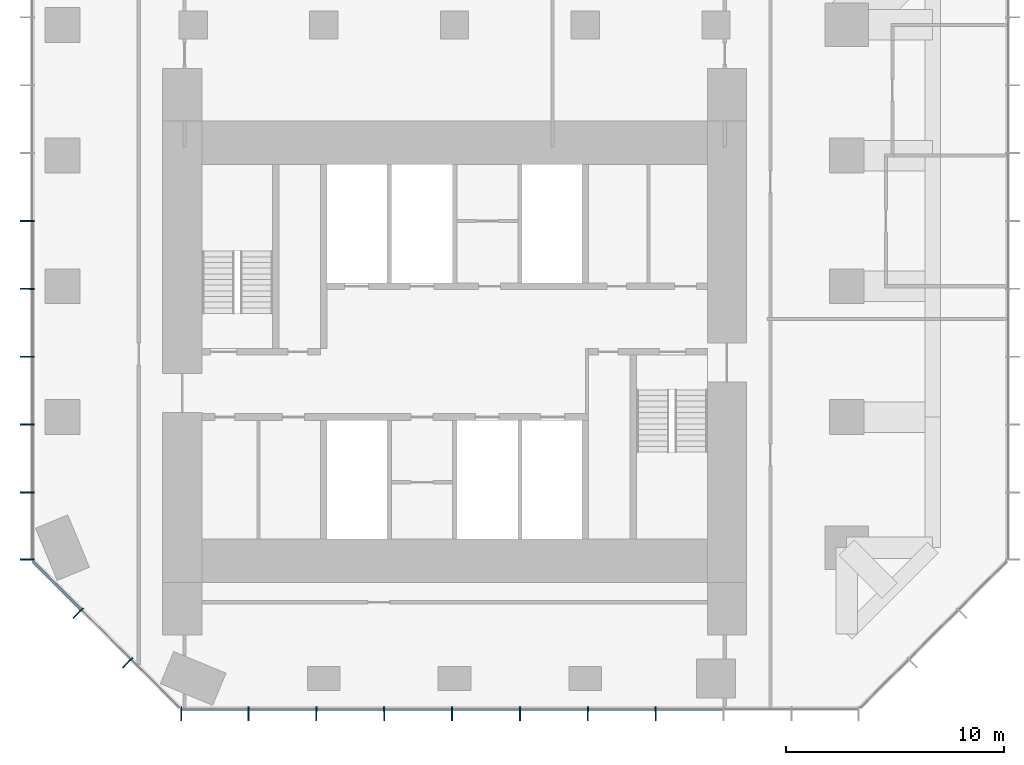
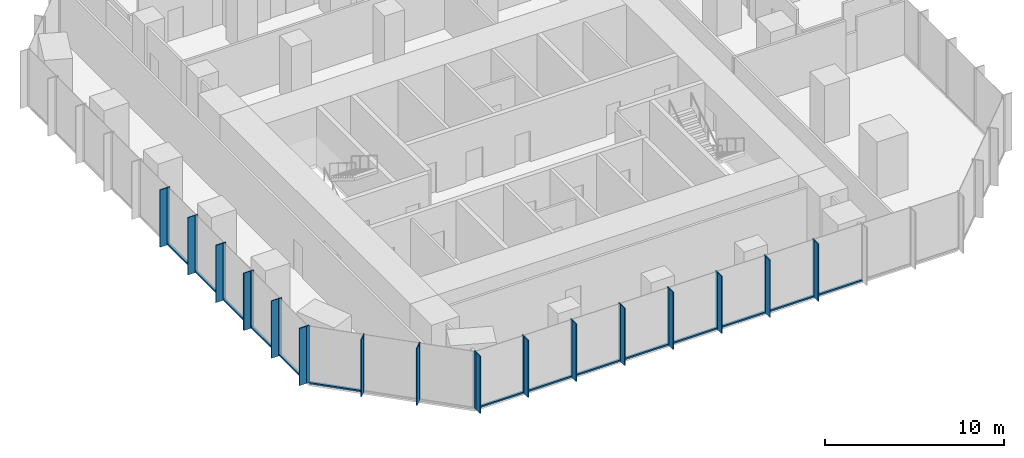
# One storey, part 2 of 11: 46 members, 3 elements without a shape of their own.
"""IFC4 building model written with IfcOpenShell, lengths in metres."""

from ifc_helpers import new_model, si_unit, direction, frame, origin, origin_2d, place, context, subcontext, project, spatial, rectangle, extrude, material, layer, layer_set, material_profile, profile_set, type_object, element, aggregate, save


model = new_model("IFC4")

# Units and contexts
model_context = context("Model", 3, precision=1e-05, world=origin(), true_north=direction((0.0, 1.0)))
body_context = subcontext(model_context, "Body", "Model", "MODEL_VIEW")
ifc_project = project(units=[si_unit("LENGTHUNIT", "METRE"), si_unit("AREAUNIT", "SQUARE_METRE"), si_unit("VOLUMEUNIT", "CUBIC_METRE"), si_unit("PLANEANGLEUNIT", "RADIAN"), si_unit("MASSUNIT", "GRAM", prefix="KILO")], contexts=[model_context])

# Site, building, storey
site_placement = place(None, origin())
site = spatial("IfcSite", under=ifc_project, at=site_placement, CompositionType="ELEMENT")
building_placement = place(site_placement, origin())
building = spatial("IfcBuilding", under=site, at=building_placement, Name="Highveld Stack Headquarters", CompositionType="ELEMENT")
storey_placement = place(building_placement, frame((0.0, 0.0, 181.10009765625)))
storey = spatial("IfcBuildingStorey", under=building, at=storey_placement, Name="L44", CompositionType="ELEMENT", Elevation=181.10009765625)

# Curtain wall, members
ifc_material_1 = material(Name="Aluminium bronze anodised", Category="aluminium")
ifc_layer_1 = layer(ifc_material_1, 0.199951171875)
ifc_layer_set_1 = layer_set([ifc_layer_1], Name="Aluminium bronze anodised")
curtain_wall_type_1 = type_object("IfcCurtainWallType", Name="CW1 TOWER UNITISED CURTAIN WALL", PredefinedType="NOTDEFINED", material=ifc_layer_set_1)
curtain_wall_1_placement = place(storey_placement, origin())
curtain_wall_1 = element("IfcCurtainWall", 1, at=curtain_wall_1_placement, inside=storey, type_object=curtain_wall_type_1, Name="Curtain wall CW1 L44 S", PredefinedType="NOTDEFINED")
ifc_material_2 = material(Name="Aluminium bronze anodised", Category="aluminium")
ifc_material_profile_1 = material_profile(ifc_material_2, rectangle(XDim=0.449951171875, YDim=0.06005859375, at=origin_2d()), Name="FIN 450x60")
ifc_profile_set_1 = profile_set([ifc_material_profile_1], Name="Aluminium bronze anodised")
member_type_1 = type_object("IfcMemberType", Name="CW1 BRONZE FIN 450x60", PredefinedType="USERDEFINED", material=ifc_profile_set_1)
member_1_placement = place(storey_placement, frame((-6.54736328125, -13.72509765625, 0.0), z_axis=(0.0, 0.0, 1.0), x_axis=(0.0, 1.0, 0.0)))
member_1 = element("IfcMember", 2, at=member_1_placement, type_object=member_type_1, Name="CW1 fin L44 1", ObjectType="FIN", PredefinedType="USERDEFINED", context=body_context, shape_type="SweptSolid", body=[
    extrude(rectangle(XDim=0.449951171875, YDim=0.06005859375, at=origin_2d()), origin(), (0.0, 0.0, 1.0), 3.89990234375),
])
member_2_placement = place(storey_placement, frame((-3.4638671875, -13.72509765625, 0.0), z_axis=(0.0, 0.0, 1.0), x_axis=(0.0, 1.0, 0.0)))
member_2 = element("IfcMember", 3, at=member_2_placement, type_object=member_type_1, Name="CW1 fin L44 2", ObjectType="FIN", PredefinedType="USERDEFINED", context=body_context, shape_type="SweptSolid", body=[
    extrude(rectangle(XDim=0.449951171875, YDim=0.06005859375, at=origin_2d()), origin(), (0.0, 0.0, 1.0), 3.89990234375),
])
member_3_placement = place(storey_placement, frame((-0.347900390625, -13.72509765625, 0.0), z_axis=(0.0, 0.0, 1.0), x_axis=(0.0, 1.0, 0.0)))
member_3 = element("IfcMember", 4, at=member_3_placement, type_object=member_type_1, Name="CW1 fin L44 3", ObjectType="FIN", PredefinedType="USERDEFINED", context=body_context, shape_type="SweptSolid", body=[
    extrude(rectangle(XDim=0.449951171875, YDim=0.06005859375, at=origin_2d()), origin(), (0.0, 0.0, 1.0), 3.89990234375),
])
member_4_placement = place(storey_placement, frame((2.76806640625, -13.72509765625, 0.0), z_axis=(0.0, 0.0, 1.0), x_axis=(0.0, 1.0, 0.0)))
member_4 = element("IfcMember", 5, at=member_4_placement, type_object=member_type_1, Name="CW1 fin L44 4", ObjectType="FIN", PredefinedType="USERDEFINED", context=body_context, shape_type="SweptSolid", body=[
    extrude(rectangle(XDim=0.449951171875, YDim=0.06005859375, at=origin_2d()), origin(), (0.0, 0.0, 1.0), 3.89990234375),
])
member_5_placement = place(storey_placement, frame((5.884033203125, -13.72509765625, 0.0), z_axis=(0.0, 0.0, 1.0), x_axis=(0.0, 1.0, 0.0)))
member_5 = element("IfcMember", 6, at=member_5_placement, type_object=member_type_1, Name="CW1 fin L44 5", ObjectType="FIN", PredefinedType="USERDEFINED", context=body_context, shape_type="SweptSolid", body=[
    extrude(rectangle(XDim=0.449951171875, YDim=0.06005859375, at=origin_2d()), origin(), (0.0, 0.0, 1.0), 3.89990234375),
])
member_6_placement = place(storey_placement, frame((9.0, -13.72509765625, 0.0), z_axis=(0.0, 0.0, 1.0), x_axis=(0.0, 1.0, 0.0)))
member_6 = element("IfcMember", 7, at=member_6_placement, type_object=member_type_1, Name="CW1 fin L44 6", ObjectType="FIN", PredefinedType="USERDEFINED", context=body_context, shape_type="SweptSolid", body=[
    extrude(rectangle(XDim=0.449951171875, YDim=0.06005859375, at=origin_2d()), origin(), (0.0, 0.0, 1.0), 3.89990234375),
])
member_7_placement = place(storey_placement, frame((12.115966796875, -13.72509765625, 0.0), z_axis=(0.0, 0.0, 1.0), x_axis=(0.0, 1.0, 0.0)))
member_7 = element("IfcMember", 8, at=member_7_placement, type_object=member_type_1, Name="CW1 fin L44 7", ObjectType="FIN", PredefinedType="USERDEFINED", context=body_context, shape_type="SweptSolid", body=[
    extrude(rectangle(XDim=0.449951171875, YDim=0.06005859375, at=origin_2d()), origin(), (0.0, 0.0, 1.0), 3.89990234375),
])
member_8_placement = place(storey_placement, frame((15.23193359375, -13.72509765625, 0.0), z_axis=(0.0, 0.0, 1.0), x_axis=(0.0, 1.0, 0.0)))
member_8 = element("IfcMember", 9, at=member_8_placement, type_object=member_type_1, Name="CW1 fin L44 8", ObjectType="FIN", PredefinedType="USERDEFINED", context=body_context, shape_type="SweptSolid", body=[
    extrude(rectangle(XDim=0.449951171875, YDim=0.06005859375, at=origin_2d()), origin(), (0.0, 0.0, 1.0), 3.89990234375),
])

curtain_wall_2_placement = place(storey_placement, origin())
curtain_wall_2 = element("IfcCurtainWall", 10, at=curtain_wall_2_placement, inside=storey, type_object=curtain_wall_type_1, Name="Curtain wall CW1 L44 W", PredefinedType="NOTDEFINED")
member_9_placement = place(storey_placement, frame((-13.72509765625, 9.0, 0.0), z_axis=(0.0, 0.0, 1.0), x_axis=(1.0, 0.0, 0.0)))
member_9 = element("IfcMember", 11, at=member_9_placement, type_object=member_type_1, Name="CW1 fin L44 6", ObjectType="FIN", PredefinedType="USERDEFINED", context=body_context, shape_type="SweptSolid", body=[
    extrude(rectangle(XDim=0.449951171875, YDim=0.06005859375, at=origin_2d()), origin(), (0.0, 0.0, 1.0), 3.89990234375),
])
member_10_placement = place(storey_placement, frame((-13.72509765625, 5.884033203125, 0.0), z_axis=(0.0, 0.0, 1.0), x_axis=(1.0, 0.0, 0.0)))
member_10 = element("IfcMember", 12, at=member_10_placement, type_object=member_type_1, Name="CW1 fin L44 7", ObjectType="FIN", PredefinedType="USERDEFINED", context=body_context, shape_type="SweptSolid", body=[
    extrude(rectangle(XDim=0.449951171875, YDim=0.06005859375, at=origin_2d()), origin(), (0.0, 0.0, 1.0), 3.89990234375),
])
member_11_placement = place(storey_placement, frame((-13.72509765625, 2.76806640625, 0.0), z_axis=(0.0, 0.0, 1.0), x_axis=(1.0, 0.0, 0.0)))
member_11 = element("IfcMember", 13, at=member_11_placement, type_object=member_type_1, Name="CW1 fin L44 8", ObjectType="FIN", PredefinedType="USERDEFINED", context=body_context, shape_type="SweptSolid", body=[
    extrude(rectangle(XDim=0.449951171875, YDim=0.06005859375, at=origin_2d()), origin(), (0.0, 0.0, 1.0), 3.89990234375),
])
member_12_placement = place(storey_placement, frame((-13.72509765625, -0.347900390625, 0.0), z_axis=(0.0, 0.0, 1.0), x_axis=(1.0, 0.0, 0.0)))
member_12 = element("IfcMember", 14, at=member_12_placement, type_object=member_type_1, Name="CW1 fin L44 9", ObjectType="FIN", PredefinedType="USERDEFINED", context=body_context, shape_type="SweptSolid", body=[
    extrude(rectangle(XDim=0.449951171875, YDim=0.06005859375, at=origin_2d()), origin(), (0.0, 0.0, 1.0), 3.89990234375),
])
member_13_placement = place(storey_placement, frame((-13.72509765625, -3.4638671875, 0.0), z_axis=(0.0, 0.0, 1.0), x_axis=(1.0, 0.0, 0.0)))
member_13 = element("IfcMember", 15, at=member_13_placement, type_object=member_type_1, Name="CW1 fin L44 10", ObjectType="FIN", PredefinedType="USERDEFINED", context=body_context, shape_type="SweptSolid", body=[
    extrude(rectangle(XDim=0.449951171875, YDim=0.06005859375, at=origin_2d()), origin(), (0.0, 0.0, 1.0), 3.89990234375),
])
member_14_placement = place(storey_placement, frame((-13.72509765625, -6.54736328125, 0.0), z_axis=(0.0, 0.0, 1.0), x_axis=(1.0, 0.0, 0.0)))
member_14 = element("IfcMember", 16, at=member_14_placement, type_object=member_type_1, Name="CW1 fin L44 11", ObjectType="FIN", PredefinedType="USERDEFINED", context=body_context, shape_type="SweptSolid", body=[
    extrude(rectangle(XDim=0.449951171875, YDim=0.06005859375, at=origin_2d()), origin(), (0.0, 0.0, 1.0), 3.89990234375),
])

# Member
ifc_material_3 = material(Name="Aluminium bronze anodised", Category="aluminium")
ifc_material_profile_2 = material_profile(ifc_material_3, rectangle(XDim=0.199951171875, YDim=0.06494140625, at=origin_2d()), Name="CW1 MULLION 65x200")
ifc_profile_set_2 = profile_set([ifc_material_profile_2], Name="Aluminium bronze anodised")
member_type_2 = type_object("IfcMemberType", Name="CW1 MULLION 65x200", PredefinedType="MULLION", material=ifc_profile_set_2)
member_15_placement = place(storey_placement, frame((-6.54736328125, -13.39990234375, 0.0), z_axis=(0.0, 0.0, 1.0), x_axis=(0.0, 1.0, 0.0)))
member_15 = element("IfcMember", 17, at=member_15_placement, type_object=member_type_2, Name="CW1 mullion L44 1", PredefinedType="MULLION", context=body_context, shape_type="SweptSolid", body=[
    extrude(rectangle(XDim=0.199951171875, YDim=0.06494140625, at=origin_2d()), origin(), (0.0, 0.0, 1.0), 3.89990234375),
])

member_16_placement = place(storey_placement, frame((-3.4638671875, -13.39990234375, 0.0), z_axis=(0.0, 0.0, 1.0), x_axis=(0.0, 1.0, 0.0)))
member_16 = element("IfcMember", 18, at=member_16_placement, type_object=member_type_2, Name="CW1 mullion L44 2", PredefinedType="MULLION", context=body_context, shape_type="SweptSolid", body=[
    extrude(rectangle(XDim=0.199951171875, YDim=0.06494140625, at=origin_2d()), origin(), (0.0, 0.0, 1.0), 3.89990234375),
])

member_17_placement = place(storey_placement, frame((-0.347900390625, -13.39990234375, 0.0), z_axis=(0.0, 0.0, 1.0), x_axis=(0.0, 1.0, 0.0)))
member_17 = element("IfcMember", 19, at=member_17_placement, type_object=member_type_2, Name="CW1 mullion L44 3", PredefinedType="MULLION", context=body_context, shape_type="SweptSolid", body=[
    extrude(rectangle(XDim=0.199951171875, YDim=0.06494140625, at=origin_2d()), origin(), (0.0, 0.0, 1.0), 3.89990234375),
])

member_18_placement = place(storey_placement, frame((2.76806640625, -13.39990234375, 0.0), z_axis=(0.0, 0.0, 1.0), x_axis=(0.0, 1.0, 0.0)))
member_18 = element("IfcMember", 20, at=member_18_placement, type_object=member_type_2, Name="CW1 mullion L44 4", PredefinedType="MULLION", context=body_context, shape_type="SweptSolid", body=[
    extrude(rectangle(XDim=0.199951171875, YDim=0.06494140625, at=origin_2d()), origin(), (0.0, 0.0, 1.0), 3.89990234375),
])

member_19_placement = place(storey_placement, frame((5.884033203125, -13.39990234375, 0.0), z_axis=(0.0, 0.0, 1.0), x_axis=(0.0, 1.0, 0.0)))
member_19 = element("IfcMember", 21, at=member_19_placement, type_object=member_type_2, Name="CW1 mullion L44 5", PredefinedType="MULLION", context=body_context, shape_type="SweptSolid", body=[
    extrude(rectangle(XDim=0.199951171875, YDim=0.06494140625, at=origin_2d()), origin(), (0.0, 0.0, 1.0), 3.89990234375),
])

member_20_placement = place(storey_placement, frame((9.0, -13.39990234375, 0.0), z_axis=(0.0, 0.0, 1.0), x_axis=(0.0, 1.0, 0.0)))
member_20 = element("IfcMember", 22, at=member_20_placement, type_object=member_type_2, Name="CW1 mullion L44 6", PredefinedType="MULLION", context=body_context, shape_type="SweptSolid", body=[
    extrude(rectangle(XDim=0.199951171875, YDim=0.06494140625, at=origin_2d()), origin(), (0.0, 0.0, 1.0), 3.89990234375),
])

member_21_placement = place(storey_placement, frame((12.115966796875, -13.39990234375, 0.0), z_axis=(0.0, 0.0, 1.0), x_axis=(0.0, 1.0, 0.0)))
member_21 = element("IfcMember", 23, at=member_21_placement, type_object=member_type_2, Name="CW1 mullion L44 7", PredefinedType="MULLION", context=body_context, shape_type="SweptSolid", body=[
    extrude(rectangle(XDim=0.199951171875, YDim=0.06494140625, at=origin_2d()), origin(), (0.0, 0.0, 1.0), 3.89990234375),
])

member_22_placement = place(storey_placement, frame((15.23193359375, -13.39990234375, 0.0), z_axis=(0.0, 0.0, 1.0), x_axis=(0.0, 1.0, 0.0)))
member_22 = element("IfcMember", 24, at=member_22_placement, type_object=member_type_2, Name="CW1 mullion L44 8", PredefinedType="MULLION", context=body_context, shape_type="SweptSolid", body=[
    extrude(rectangle(XDim=0.199951171875, YDim=0.06494140625, at=origin_2d()), origin(), (0.0, 0.0, 1.0), 3.89990234375),
])

member_23_placement = place(storey_placement, frame((-13.39990234375, 9.0, 0.0), z_axis=(0.0, 0.0, 1.0), x_axis=(1.0, 0.0, 0.0)))
member_23 = element("IfcMember", 25, at=member_23_placement, type_object=member_type_2, Name="CW1 mullion L44 6", PredefinedType="MULLION", context=body_context, shape_type="SweptSolid", body=[
    extrude(rectangle(XDim=0.199951171875, YDim=0.06494140625, at=origin_2d()), origin(), (0.0, 0.0, 1.0), 3.89990234375),
])

member_24_placement = place(storey_placement, frame((-13.39990234375, 5.884033203125, 0.0), z_axis=(0.0, 0.0, 1.0), x_axis=(1.0, 0.0, 0.0)))
member_24 = element("IfcMember", 26, at=member_24_placement, type_object=member_type_2, Name="CW1 mullion L44 7", PredefinedType="MULLION", context=body_context, shape_type="SweptSolid", body=[
    extrude(rectangle(XDim=0.199951171875, YDim=0.06494140625, at=origin_2d()), origin(), (0.0, 0.0, 1.0), 3.89990234375),
])

member_25_placement = place(storey_placement, frame((-13.39990234375, 2.76806640625, 0.0), z_axis=(0.0, 0.0, 1.0), x_axis=(1.0, 0.0, 0.0)))
member_25 = element("IfcMember", 27, at=member_25_placement, type_object=member_type_2, Name="CW1 mullion L44 8", PredefinedType="MULLION", context=body_context, shape_type="SweptSolid", body=[
    extrude(rectangle(XDim=0.199951171875, YDim=0.06494140625, at=origin_2d()), origin(), (0.0, 0.0, 1.0), 3.89990234375),
])

member_26_placement = place(storey_placement, frame((-13.39990234375, -0.347900390625, 0.0), z_axis=(0.0, 0.0, 1.0), x_axis=(1.0, 0.0, 0.0)))
member_26 = element("IfcMember", 28, at=member_26_placement, type_object=member_type_2, Name="CW1 mullion L44 9", PredefinedType="MULLION", context=body_context, shape_type="SweptSolid", body=[
    extrude(rectangle(XDim=0.199951171875, YDim=0.06494140625, at=origin_2d()), origin(), (0.0, 0.0, 1.0), 3.89990234375),
])

member_27_placement = place(storey_placement, frame((-13.39990234375, -3.4638671875, 0.0), z_axis=(0.0, 0.0, 1.0), x_axis=(1.0, 0.0, 0.0)))
member_27 = element("IfcMember", 29, at=member_27_placement, type_object=member_type_2, Name="CW1 mullion L44 10", PredefinedType="MULLION", context=body_context, shape_type="SweptSolid", body=[
    extrude(rectangle(XDim=0.199951171875, YDim=0.06494140625, at=origin_2d()), origin(), (0.0, 0.0, 1.0), 3.89990234375),
])

member_28_placement = place(storey_placement, frame((-13.39990234375, -6.54736328125, 0.0), z_axis=(0.0, 0.0, 1.0), x_axis=(1.0, 0.0, 0.0)))
member_28 = element("IfcMember", 30, at=member_28_placement, type_object=member_type_2, Name="CW1 mullion L44 11", PredefinedType="MULLION", context=body_context, shape_type="SweptSolid", body=[
    extrude(rectangle(XDim=0.199951171875, YDim=0.06494140625, at=origin_2d()), origin(), (0.0, 0.0, 1.0), 3.89990234375),
])

ifc_material_4 = material(Name="Aluminium bronze anodised", Category="aluminium")
ifc_material_profile_3 = material_profile(ifc_material_4, rectangle(XDim=0.14990234375, YDim=0.10009765625, at=origin_2d()), Name="CW1 TRANSOM 150x100")
ifc_profile_set_3 = profile_set([ifc_material_profile_3], Name="Aluminium bronze anodised")
member_type_3 = type_object("IfcMemberType", Name="CW1 STACK TRANSOM 150x100", PredefinedType="USERDEFINED", material=ifc_profile_set_3)
member_29_placement = place(storey_placement, frame((-6.514892578125, -13.39990234375, 0.0498046875), z_axis=(1.0, 0.0, 0.0), x_axis=(0.0, 1.0, 0.0)))
member_29 = element("IfcMember", 31, at=member_29_placement, type_object=member_type_3, Name="CW1 transom L44 1.1", ObjectType="TRANSOM", PredefinedType="USERDEFINED", context=body_context, shape_type="SweptSolid", body=[
    extrude(rectangle(XDim=0.14990234375, YDim=0.10009765625, at=origin_2d()), origin(), (0.0, 0.0, 1.0), 3.0185546875),
])

member_30_placement = place(storey_placement, frame((-3.431396484375, -13.39990234375, 0.0498046875), z_axis=(1.0, 0.0, 0.0), x_axis=(0.0, 1.0, 0.0)))
member_30 = element("IfcMember", 32, at=member_30_placement, type_object=member_type_3, Name="CW1 transom L44 2.1", ObjectType="TRANSOM", PredefinedType="USERDEFINED", context=body_context, shape_type="SweptSolid", body=[
    extrude(rectangle(XDim=0.14990234375, YDim=0.10009765625, at=origin_2d()), origin(), (0.0, 0.0, 1.0), 3.051025390625),
])

member_31_placement = place(storey_placement, frame((-0.3154296875, -13.39990234375, 0.0498046875), z_axis=(1.0, 0.0, 0.0), x_axis=(0.0, 1.0, 0.0)))
member_31 = element("IfcMember", 33, at=member_31_placement, type_object=member_type_3, Name="CW1 transom L44 3.1", ObjectType="TRANSOM", PredefinedType="USERDEFINED", context=body_context, shape_type="SweptSolid", body=[
    extrude(rectangle(XDim=0.14990234375, YDim=0.10009765625, at=origin_2d()), origin(), (0.0, 0.0, 1.0), 3.051025390625),
])

member_32_placement = place(storey_placement, frame((2.800537109375, -13.39990234375, 0.0498046875), z_axis=(1.0, 0.0, 0.0), x_axis=(0.0, 1.0, 0.0)))
member_32 = element("IfcMember", 34, at=member_32_placement, type_object=member_type_3, Name="CW1 transom L44 4.1", ObjectType="TRANSOM", PredefinedType="USERDEFINED", context=body_context, shape_type="SweptSolid", body=[
    extrude(rectangle(XDim=0.14990234375, YDim=0.10009765625, at=origin_2d()), origin(), (0.0, 0.0, 1.0), 3.051025390625),
])

member_33_placement = place(storey_placement, frame((5.91650390625, -13.39990234375, 0.0498046875), z_axis=(1.0, 0.0, 0.0), x_axis=(0.0, 1.0, 0.0)))
member_33 = element("IfcMember", 35, at=member_33_placement, type_object=member_type_3, Name="CW1 transom L44 5.1", ObjectType="TRANSOM", PredefinedType="USERDEFINED", context=body_context, shape_type="SweptSolid", body=[
    extrude(rectangle(XDim=0.14990234375, YDim=0.10009765625, at=origin_2d()), origin(), (0.0, 0.0, 1.0), 3.051025390625),
])

member_34_placement = place(storey_placement, frame((9.032470703125, -13.39990234375, 0.0498046875), z_axis=(1.0, 0.0, 0.0), x_axis=(0.0, 1.0, 0.0)))
member_34 = element("IfcMember", 36, at=member_34_placement, type_object=member_type_3, Name="CW1 transom L44 6.1", ObjectType="TRANSOM", PredefinedType="USERDEFINED", context=body_context, shape_type="SweptSolid", body=[
    extrude(rectangle(XDim=0.14990234375, YDim=0.10009765625, at=origin_2d()), origin(), (0.0, 0.0, 1.0), 3.051025390625),
])

member_35_placement = place(storey_placement, frame((12.1484375, -13.39990234375, 0.0498046875), z_axis=(1.0, 0.0, 0.0), x_axis=(0.0, 1.0, 0.0)))
member_35 = element("IfcMember", 37, at=member_35_placement, type_object=member_type_3, Name="CW1 transom L44 7.1", ObjectType="TRANSOM", PredefinedType="USERDEFINED", context=body_context, shape_type="SweptSolid", body=[
    extrude(rectangle(XDim=0.14990234375, YDim=0.10009765625, at=origin_2d()), origin(), (0.0, 0.0, 1.0), 3.051025390625),
])

member_36_placement = place(storey_placement, frame((15.264404296875, -13.39990234375, 0.0498046875), z_axis=(1.0, 0.0, 0.0), x_axis=(0.0, 1.0, 0.0)))
member_36 = element("IfcMember", 38, at=member_36_placement, type_object=member_type_3, Name="CW1 transom L44 8.1", ObjectType="TRANSOM", PredefinedType="USERDEFINED", context=body_context, shape_type="SweptSolid", body=[
    extrude(rectangle(XDim=0.14990234375, YDim=0.10009765625, at=origin_2d()), origin(), (0.0, 0.0, 1.0), 3.051025390625),
])

aggregate(curtain_wall_1, [member_15, member_1, member_16, member_2, member_17, member_3, member_18, member_4, member_19, member_5, member_20, member_6, member_21, member_7, member_22, member_8, member_29, member_30, member_31, member_32, member_33, member_34, member_35, member_36])

member_37_placement = place(storey_placement, frame((-13.39990234375, 8.967529296875, 0.0498046875), z_axis=(0.0, -1.0, 0.0), x_axis=(1.0, 0.0, 0.0)))
member_37 = element("IfcMember", 39, at=member_37_placement, type_object=member_type_3, Name="CW1 transom L44 6.1", ObjectType="TRANSOM", PredefinedType="USERDEFINED", context=body_context, shape_type="SweptSolid", body=[
    extrude(rectangle(XDim=0.14990234375, YDim=0.10009765625, at=origin_2d()), origin(), (0.0, 0.0, 1.0), 3.051025390625),
])

member_38_placement = place(storey_placement, frame((-13.39990234375, 5.8515625, 0.0498046875), z_axis=(0.0, -1.0, 0.0), x_axis=(1.0, 0.0, 0.0)))
member_38 = element("IfcMember", 40, at=member_38_placement, type_object=member_type_3, Name="CW1 transom L44 7.1", ObjectType="TRANSOM", PredefinedType="USERDEFINED", context=body_context, shape_type="SweptSolid", body=[
    extrude(rectangle(XDim=0.14990234375, YDim=0.10009765625, at=origin_2d()), origin(), (0.0, 0.0, 1.0), 3.051025390625),
])

member_39_placement = place(storey_placement, frame((-13.39990234375, 2.735595703125, 0.0498046875), z_axis=(0.0, -1.0, 0.0), x_axis=(1.0, 0.0, 0.0)))
member_39 = element("IfcMember", 41, at=member_39_placement, type_object=member_type_3, Name="CW1 transom L44 8.1", ObjectType="TRANSOM", PredefinedType="USERDEFINED", context=body_context, shape_type="SweptSolid", body=[
    extrude(rectangle(XDim=0.14990234375, YDim=0.10009765625, at=origin_2d()), origin(), (0.0, 0.0, 1.0), 3.051025390625),
])

member_40_placement = place(storey_placement, frame((-13.39990234375, -0.38037109375, 0.0498046875), z_axis=(0.0, -1.0, 0.0), x_axis=(1.0, 0.0, 0.0)))
member_40 = element("IfcMember", 42, at=member_40_placement, type_object=member_type_3, Name="CW1 transom L44 9.1", ObjectType="TRANSOM", PredefinedType="USERDEFINED", context=body_context, shape_type="SweptSolid", body=[
    extrude(rectangle(XDim=0.14990234375, YDim=0.10009765625, at=origin_2d()), origin(), (0.0, 0.0, 1.0), 3.051025390625),
])

member_41_placement = place(storey_placement, frame((-13.39990234375, -3.496337890625, 0.0498046875), z_axis=(0.0, -1.0, 0.0), x_axis=(1.0, 0.0, 0.0)))
member_41 = element("IfcMember", 43, at=member_41_placement, type_object=member_type_3, Name="CW1 transom L44 10.1", ObjectType="TRANSOM", PredefinedType="USERDEFINED", context=body_context, shape_type="SweptSolid", body=[
    extrude(rectangle(XDim=0.14990234375, YDim=0.10009765625, at=origin_2d()), origin(), (0.0, 0.0, 1.0), 3.0185546875),
])

aggregate(curtain_wall_2, [member_23, member_9, member_24, member_10, member_25, member_11, member_26, member_12, member_27, member_13, member_28, member_14, member_37, member_38, member_39, member_40, member_41])

# Curtain wall, members
ifc_material_5 = material(Name="Aluminium bronze anodised", Category="aluminium")
ifc_layer_2 = layer(ifc_material_5, 0.199951171875)
ifc_layer_set_2 = layer_set([ifc_layer_2], Name="Aluminium bronze anodised")
curtain_wall_type_2 = type_object("IfcCurtainWallType", Name="CW2 TOWER CHAMFER UNITISED CURTAIN WALL", PredefinedType="NOTDEFINED", material=ifc_layer_set_2)
curtain_wall_3_placement = place(storey_placement, origin())
curtain_wall_3 = element("IfcCurtainWall", 44, at=curtain_wall_3_placement, inside=storey, type_object=curtain_wall_type_2, Name="Curtain wall CW2 L44 SW", PredefinedType="NOTDEFINED")
ifc_material_6 = material(Name="Aluminium bronze anodised", Category="aluminium")
ifc_material_profile_4 = material_profile(ifc_material_6, rectangle(XDim=0.449951171875, YDim=0.06005859375, at=origin_2d()), Name="FIN 450x60")
ifc_profile_set_4 = profile_set([ifc_material_profile_4], Name="Aluminium bronze anodised")
member_type_4 = type_object("IfcMemberType", Name="CW2 BRONZE FIN 450x60", PredefinedType="USERDEFINED", material=ifc_profile_set_4)
member_42_placement = place(storey_placement, frame((-11.3564453125, -9.0830078125, 0.0), z_axis=(0.0, 0.0, 1.0), x_axis=(0.707106781187, 0.707106781187, 0.0)))
member_42 = element("IfcMember", 45, at=member_42_placement, type_object=member_type_4, Name="CW2 fin L44 1", ObjectType="FIN", PredefinedType="USERDEFINED", context=body_context, shape_type="SweptSolid", body=[
    extrude(rectangle(XDim=0.449951171875, YDim=0.06005859375, at=origin_2d()), origin(), (0.0, 0.0, 1.0), 3.89990234375),
])
member_43_placement = place(storey_placement, frame((-9.0830078125, -11.3564453125, 0.0), z_axis=(0.0, 0.0, 1.0), x_axis=(0.707106781187, 0.707106781187, 0.0)))
member_43 = element("IfcMember", 46, at=member_43_placement, type_object=member_type_4, Name="CW2 fin L44 2", ObjectType="FIN", PredefinedType="USERDEFINED", context=body_context, shape_type="SweptSolid", body=[
    extrude(rectangle(XDim=0.449951171875, YDim=0.06005859375, at=origin_2d()), origin(), (0.0, 0.0, 1.0), 3.89990234375),
])
ifc_material_7 = material(Name="Aluminium bronze anodised", Category="aluminium")
ifc_material_profile_5 = material_profile(ifc_material_7, rectangle(XDim=0.199951171875, YDim=0.06494140625, at=origin_2d()), Name="CW2 MULLION 65x200")
ifc_profile_set_5 = profile_set([ifc_material_profile_5], Name="Aluminium bronze anodised")
member_type_5 = type_object("IfcMemberType", Name="CW2 MULLION 65x200", PredefinedType="MULLION", material=ifc_profile_set_5)
member_44_placement = place(storey_placement, frame((-11.126708984375, -8.853271484375, 0.0), z_axis=(0.0, 0.0, 1.0), x_axis=(0.707106781187, 0.707106781187, 0.0)))
member_44 = element("IfcMember", 47, at=member_44_placement, type_object=member_type_5, Name="CW2 mullion L44 1", PredefinedType="MULLION", context=body_context, shape_type="SweptSolid", body=[
    extrude(rectangle(XDim=0.199951171875, YDim=0.06494140625, at=origin_2d()), origin(), (0.0, 0.0, 1.0), 3.89990234375),
])
member_45_placement = place(storey_placement, frame((-8.853271484375, -11.126708984375, 0.0), z_axis=(0.0, 0.0, 1.0), x_axis=(0.707106781187, 0.707106781187, 0.0)))
member_45 = element("IfcMember", 48, at=member_45_placement, type_object=member_type_5, Name="CW2 mullion L44 2", PredefinedType="MULLION", context=body_context, shape_type="SweptSolid", body=[
    extrude(rectangle(XDim=0.199951171875, YDim=0.06494140625, at=origin_2d()), origin(), (0.0, 0.0, 1.0), 3.89990234375),
])
ifc_material_8 = material(Name="Aluminium bronze anodised", Category="aluminium")
ifc_material_profile_6 = material_profile(ifc_material_8, rectangle(XDim=0.14990234375, YDim=0.10009765625, at=origin_2d()), Name="CW2 TRANSOM 150x100")
ifc_profile_set_6 = profile_set([ifc_material_profile_6], Name="Aluminium bronze anodised")
member_type_6 = type_object("IfcMemberType", Name="CW2 STACK TRANSOM 150x100", PredefinedType="USERDEFINED", material=ifc_profile_set_6)
member_46_placement = place(storey_placement, frame((-13.329345703125, -6.650634765625, 0.0498046875), z_axis=(0.707106781187, -0.707106781187, 0.0), x_axis=(0.707106781187, 0.707106781187, 0.0)))
member_46 = element("IfcMember", 49, at=member_46_placement, type_object=member_type_6, Name="CW2 transom L44 1.1", ObjectType="TRANSOM", PredefinedType="USERDEFINED", context=body_context, shape_type="SweptSolid", body=[
    extrude(rectangle(XDim=0.14990234375, YDim=0.10009765625, at=origin_2d()), origin(), (0.0, 0.0, 1.0), 3.08251953125),
])
aggregate(curtain_wall_3, [member_44, member_42, member_45, member_43, member_46])

save(model, "model.ifc")
